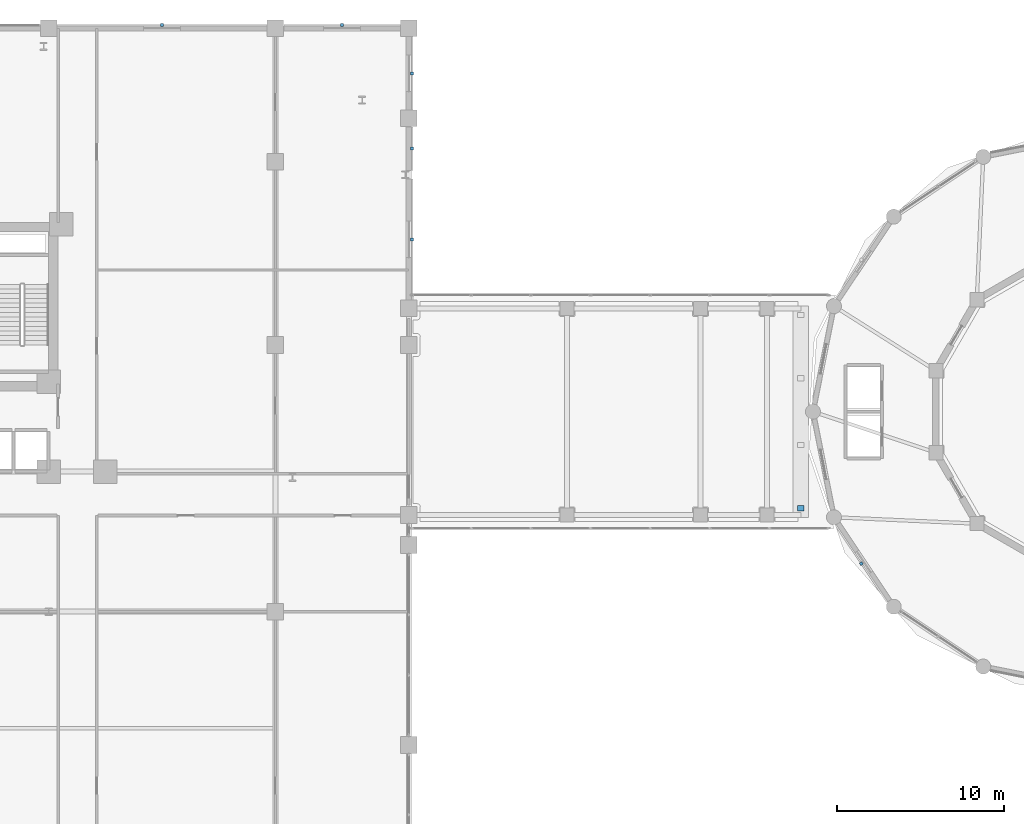
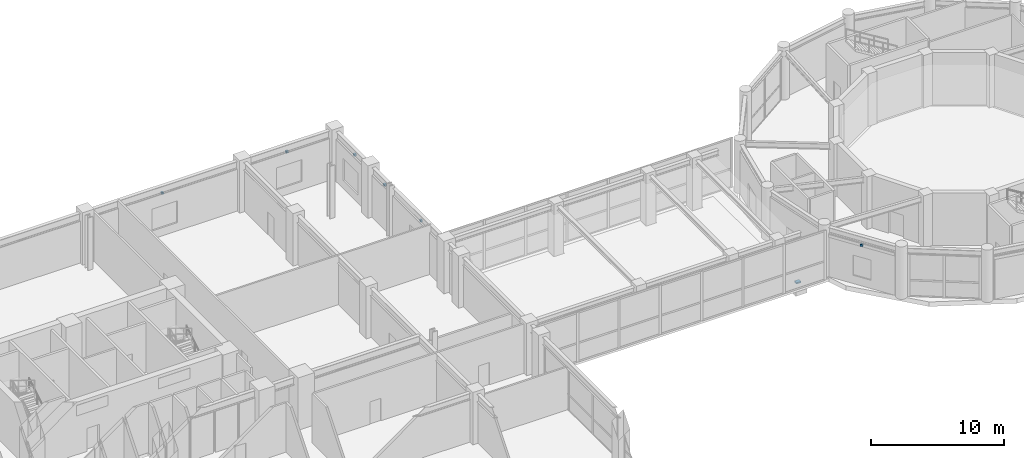
# One storey, part 40 of 48: 7 discrete accessories.
"""IFC4 building model written with IfcOpenShell, lengths in metres."""

from ifc_helpers import new_model, si_unit, derived_unit, direction, frame, origin, origin_2d, place, context, subcontext, project, spatial, rectangle, extrude, source, transform, mapped, material, type_object, element, save


model = new_model("IFC4")

# Units and contexts
model_context = context("Model", 3, precision=1e-05, world=origin(), true_north=direction((0.0, 1.0)))
body_context = subcontext(model_context, "Body", "Model", "MODEL_VIEW")
ifc_project = project(units=[si_unit("LENGTHUNIT", "METRE"), si_unit("AREAUNIT", "SQUARE_METRE"), si_unit("VOLUMEUNIT", "CUBIC_METRE"), si_unit("PLANEANGLEUNIT", "RADIAN"), si_unit("MASSUNIT", "GRAM", prefix="KILO"), derived_unit("THERMALTRANSMITTANCEUNIT", [(si_unit("POWERUNIT", "WATT"), 1), (si_unit("LENGTHUNIT", "METRE"), -2), (si_unit("THERMODYNAMICTEMPERATUREUNIT", "KELVIN"), -1)])], contexts=[model_context])

# Site, building, storey
site_placement = place(None, origin())
site = spatial("IfcSite", under=ifc_project, at=site_placement, CompositionType="ELEMENT")
building_placement = place(site_placement, origin())
building = spatial("IfcBuilding", under=site, at=building_placement, Name="Korsvarv Bourse and Concert Hall", CompositionType="ELEMENT")
storey_placement = place(building_placement, frame((0.0, 0.0, 4.800048828125)))
storey = spatial("IfcBuildingStorey", under=building, at=storey_placement, Name="L01", CompositionType="ELEMENT", Elevation=4.800048828125)

# Discrete accessories
ifc_material_1 = material(Name="Steel S355 and PTFE bearing", Category="steel")
discrete_accessory_type_1 = type_object("IfcDiscreteAccessoryType", Name="ACC-PTFE", PredefinedType="USERDEFINED", material=ifc_material_1)
shared_shape_1 = source(origin(), body_context, "Body", "SweptSolid", [
    extrude(rectangle(XDim=0.39990234375, YDim=0.320068359375, at=origin_2d()), origin(), (0.0, 0.0, 1.0), 0.1201171875),
])
discrete_accessory_placement = place(storey_placement, frame((89.52001953125, 30.199951171875, -0.380126953125), z_axis=(0.0, 0.0, 1.0), x_axis=(1.0, 0.0, 0.0)))
element("IfcDiscreteAccessory", 1, at=discrete_accessory_placement, inside=storey, type_object=discrete_accessory_type_1, Name="L01 link gallery PTFE sliding bearing 1", ObjectType="SLIDING BEARING", PredefinedType="USERDEFINED", context=body_context, shape_type="MappedRepresentation", body=[
    mapped(shared_shape_1, transform((0.0, 0.0, 0.0), scale=1.0)),
])
ifc_material_2 = material(Name="Stainless Steel S355 facade outrigger bracket", Category="steel")
discrete_accessory_type_2 = type_object("IfcDiscreteAccessoryType", Name="ACC-BRK-1", PredefinedType="BRACKET", material=ifc_material_2)
shared_shape_2 = source(origin(), body_context, "Body", "SweptSolid", [
    extrude(rectangle(XDim=0.179931640625, YDim=0.179931640625, at=origin_2d()), origin(), (0.0, 0.0, 1.0), 0.199951171875),
])
for number, where, z_axis, x_axis, name in (
    (2, (51.199951171875, 59.199951171875, 3.56005859375), (0.0, 0.0, 1.0), (1.0, 0.0, 0.0), "L01 terracotta sunshade bracket EW-L01-N4"),
    (3, (62.0, 59.199951171875, 3.56005859375), (0.0, 0.0, 1.0), (1.0, 0.0, 0.0), "L01 terracotta sunshade bracket EW-L01-N5"),
    (4, (66.199951171875, 46.340087890625, 3.56005859375), (0.0, 0.0, 1.0), (0.0, 1.0, 0.0), "L01 terracotta sunshade bracket EW-L01-E3-1"),
    (5, (66.199951171875, 51.777099609375, 3.56005859375), (0.0, 0.0, 1.0), (0.0, 1.0, 0.0), "L01 terracotta sunshade bracket EW-L01-E3-2"),
    (6, (66.199951171875, 56.300048828125, 3.56005859375), (0.0, 0.0, 1.0), (0.0, 1.0, 0.0), "L01 terracotta sunshade bracket EW-L01-E4"),
    (7, (93.15380859375, 26.882080078125, 3.68994140625), (0.0, 0.0, 1.0), (0.55557023302, -0.831469612303, 0.0), "L01 terracotta sunshade bracket EW-L01-CHD10"),
):
    element("IfcDiscreteAccessory", number, at=place(storey_placement, frame(where, z_axis=z_axis, x_axis=x_axis)), inside=storey, type_object=discrete_accessory_type_2, Name=name, PredefinedType="BRACKET", context=body_context, shape_type="MappedRepresentation", body=[
        mapped(shared_shape_2, transform((0.0, 0.0, 0.0), scale=1.0)),
    ])

save(model, "model.ifc")
